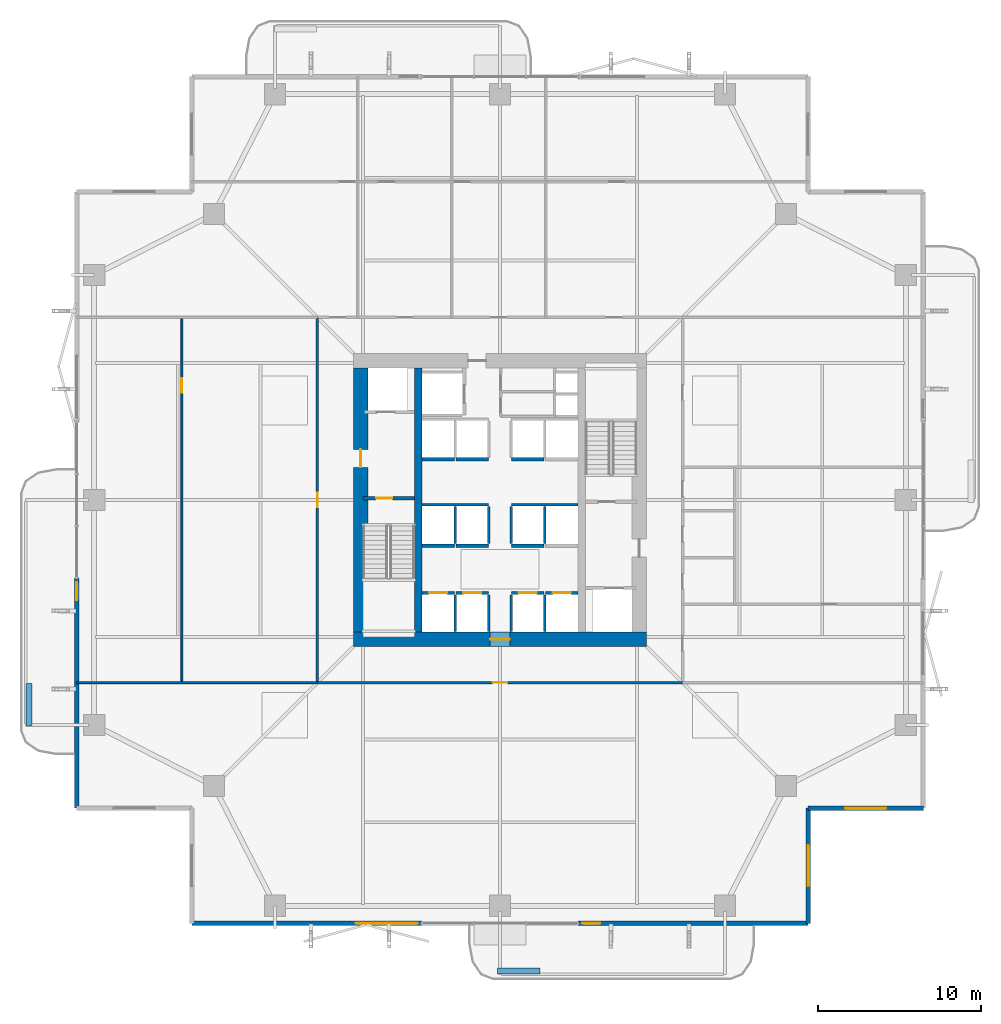
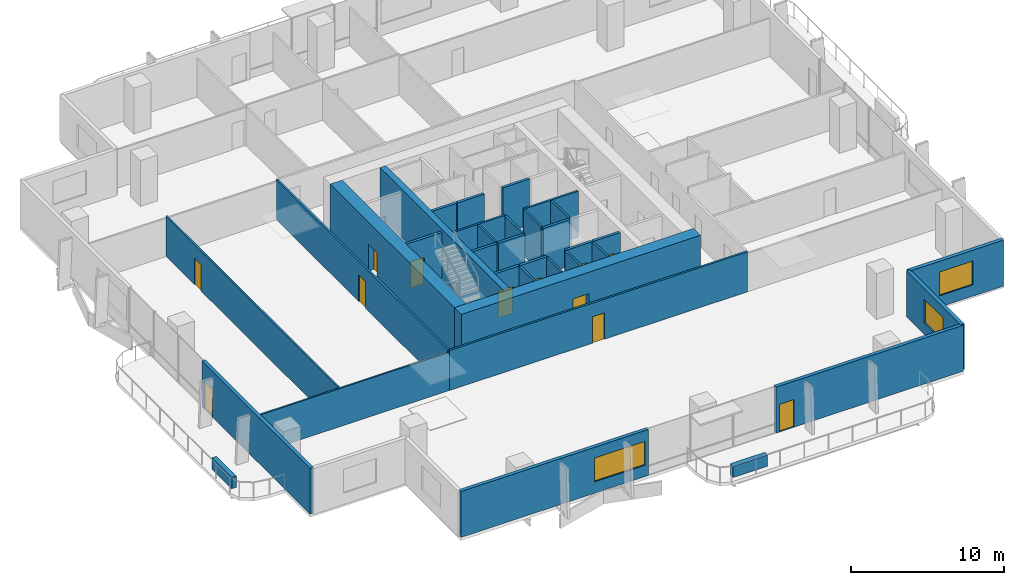
# One storey, part 17 of 24: 35 walls, 12 doors, 3 windows, 15 openings.
"""IFC4 building model written with IfcOpenShell, lengths in metres."""

from ifc_helpers import new_model, si_unit, direction, frame, frame_2d, origin, place, context, subcontext, project, spatial, rectangle, extrude, material, layer, layer_set, type_object, element, fill, save


model = new_model("IFC4")

# Units and contexts
model_context = context("Model", 3, precision=1e-05, world=origin(), true_north=direction((0.0, 1.0)))
body_context = subcontext(model_context, "Body", "Model", "MODEL_VIEW")
ifc_project = project(units=[si_unit("LENGTHUNIT", "METRE"), si_unit("AREAUNIT", "SQUARE_METRE"), si_unit("VOLUMEUNIT", "CUBIC_METRE"), si_unit("PLANEANGLEUNIT", "RADIAN"), si_unit("MASSUNIT", "GRAM", prefix="KILO")], contexts=[model_context])

# Site, building, storey
site_placement = place(None, origin())
site = spatial("IfcSite", under=ifc_project, at=site_placement, CompositionType="ELEMENT")
building_placement = place(site_placement, origin())
building = spatial("IfcBuilding", under=site, at=building_placement, Name="Belovzor Exchange Tower", CompositionType="ELEMENT")
storey_placement = place(building_placement, frame((0.0, 0.0, 117.300048828125)))
storey = spatial("IfcBuildingStorey", under=building, at=storey_placement, Name="L28", CompositionType="ELEMENT", Elevation=117.300048828125)

# Wall
ifc_material_1 = material(Name="Acoustic Plasterboard on Galvanised Studs", Category="gypsum")
ifc_layer_1 = layer(ifc_material_1, 0.1201171875)
ifc_layer_set_1 = layer_set([ifc_layer_1], Name="Acoustic Plasterboard on Galvanised Studs")
wall_type_1 = type_object("IfcWallType", Name="Acoustic Double-Stud Partition Wall 120", PredefinedType="PARTITIONING", material=ifc_layer_set_1)
wall_1_placement = place(storey_placement, frame((2.830078125, 17.60009765625, 0.0), z_axis=(0.0, 0.0, 1.0), x_axis=(1.0, 0.0, 0.0)))
element("IfcWall", 1, at=wall_1_placement, inside=storey, type_object=wall_type_1, Name="W-P120 Partition Wall W-L28-END-SW", PredefinedType="PARTITIONING", context=body_context, shape_type="SweptSolid", body=[
    extrude(rectangle(XDim=14.77001953125, YDim=0.1201171875, at=frame_2d((7.385009765625, 0.0))), origin(), (0.0, 0.0, 1.0), 3.034912109375),
])

# Wall, opening, door
wall_2_placement = place(storey_placement, frame((9.280029296875, 17.60009765625, 0.0), z_axis=(0.0, 0.0, 1.0), x_axis=(0.0, 1.0, 0.0)))
wall_2 = element("IfcWall", 2, at=wall_2_placement, inside=storey, type_object=wall_type_1, Name="W-P120 Partition Wall W-L28-WHDIV-0", PredefinedType="PARTITIONING", context=body_context, shape_type="SweptSolid", body=[
    extrude(rectangle(XDim=22.39990234375, YDim=0.1201171875, at=frame_2d((11.199951171875, 0.0))), origin(), (0.0, 0.0, 1.0), 3.18505859375),
])
opening_1_placement = place(wall_2_placement, frame((17.782958984375, 0.0, 0.0)))
opening_1 = element("IfcOpeningElement", 3, at=opening_1_placement, cuts=wall_2, Name="Opening D-INT-090", PredefinedType="OPENING", context=body_context, shape_type="SweptSolid", body=[
    extrude(rectangle(XDim=0.89990234375, YDim=2.10009765625, at=frame_2d((0.449951171875, 1.050048828125))), frame((0.0, 0.070068359375, 0.0), z_axis=(0.0, -1.0, 0.0), x_axis=(1.0, 0.0, 0.0)), (0.0, 0.0, 1.0), 0.14013671875),
])
ifc_material_2 = material(Name="Veneered Hardwood Acoustic Leaf", Category="wood")
door_type_1 = type_object("IfcDoorType", Name="Trading Suite Acoustic Single Door 900x2100", OperationType="NOTDEFINED", PredefinedType="DOOR", material=ifc_material_2)
door_1_placement = place(opening_1_placement, origin())
door_1 = element("IfcDoor", 4, at=door_1_placement, inside=storey, type_object=door_type_1, Name="D-INT-090 Trading Suite Acoustic Single Door 900x2100", OperationType="SINGLE_SWING_LEFT", OverallHeight=2.10009765625, OverallWidth=0.89990234375, PredefinedType="DOOR", context=body_context, shape_type="SweptSolid", body=[
    extrude(rectangle(XDim=0.89990234375, YDim=2.10009765625, at=frame_2d((0.449951171875, 1.050048828125))), frame((0.0, 0.02490234375, 0.0), z_axis=(0.0, -1.0, 0.0), x_axis=(1.0, 0.0, 0.0)), (0.0, 0.0, 1.0), 0.050048828125),
])
fill(opening_1, door_1)

ifc_material_3 = material(Name="Fire-Rated Gypsum Block and Mineral Wool", Category="gypsum")
ifc_layer_2 = layer(ifc_material_3, 0.14990234375)
ifc_layer_set_2 = layer_set([ifc_layer_2], Name="Fire-Rated Gypsum Block and Mineral Wool")
wall_type_2 = type_object("IfcWallType", Name="Fire-Rated Gypsum Block Corridor Wall 150", PredefinedType="PARTITIONING", material=ifc_layer_set_2)
wall_3_placement = place(storey_placement, frame((17.60009765625, 17.60009765625, 0.0), z_axis=(0.0, 0.0, 1.0), x_axis=(1.0, 0.0, 0.0)))
wall_3 = element("IfcWall", 5, at=wall_3_placement, inside=storey, type_object=wall_type_2, Name="W-P150 Partition Wall W-L28-CS", PredefinedType="PARTITIONING", context=body_context, shape_type="SweptSolid", body=[
    extrude(rectangle(XDim=22.39990234375, YDim=0.14990234375, at=frame_2d((11.199951171875, 0.0))), origin(), (0.0, 0.0, 1.0), 3.18505859375),
])
opening_2_placement = place(wall_3_placement, frame((10.75, 0.0, 0.0)))
opening_2 = element("IfcOpeningElement", 6, at=opening_2_placement, cuts=wall_3, Name="Opening D-INT-090", PredefinedType="OPENING", context=body_context, shape_type="SweptSolid", body=[
    extrude(rectangle(XDim=0.89990234375, YDim=2.10009765625, at=frame_2d((0.449951171875, 1.050048828125))), frame((0.0, 0.0849609375, 0.0), z_axis=(0.0, -1.0, 0.0), x_axis=(1.0, 0.0, 0.0)), (0.0, 0.0, 1.0), 0.169921875),
])
door_2_placement = place(opening_2_placement, origin())
door_2 = element("IfcDoor", 7, at=door_2_placement, inside=storey, type_object=door_type_1, Name="D-INT-090 Trading Suite Acoustic Single Door 900x2100", OperationType="SINGLE_SWING_LEFT", OverallHeight=2.10009765625, OverallWidth=0.89990234375, PredefinedType="DOOR", context=body_context, shape_type="SweptSolid", body=[
    extrude(rectangle(XDim=0.89990234375, YDim=2.10009765625, at=frame_2d((0.449951171875, 1.050048828125))), frame((0.0, 0.02490234375, 0.0), z_axis=(0.0, -1.0, 0.0), x_axis=(1.0, 0.0, 0.0)), (0.0, 0.0, 1.0), 0.050048828125),
])
fill(opening_2, door_2)

wall_4_placement = place(storey_placement, frame((17.60009765625, 17.60009765625, 0.0), z_axis=(0.0, 0.0, 1.0), x_axis=(0.0, 1.0, 0.0)))
wall_4 = element("IfcWall", 8, at=wall_4_placement, inside=storey, type_object=wall_type_2, Name="W-P150 Partition Wall W-L28-CW", PredefinedType="PARTITIONING", context=body_context, shape_type="SweptSolid", body=[
    extrude(rectangle(XDim=22.39990234375, YDim=0.14990234375, at=frame_2d((11.199951171875, 0.0))), origin(), (0.0, 0.0, 1.0), 3.18505859375),
])
opening_3_placement = place(wall_4_placement, frame((10.75, 0.0, 0.0)))
opening_3 = element("IfcOpeningElement", 9, at=opening_3_placement, cuts=wall_4, Name="Opening D-INT-090", PredefinedType="OPENING", context=body_context, shape_type="SweptSolid", body=[
    extrude(rectangle(XDim=0.89990234375, YDim=2.10009765625, at=frame_2d((0.449951171875, 1.050048828125))), frame((0.0, 0.0849609375, 0.0), z_axis=(0.0, -1.0, 0.0), x_axis=(1.0, 0.0, 0.0)), (0.0, 0.0, 1.0), 0.169921875),
])
door_3_placement = place(opening_3_placement, origin())
door_3 = element("IfcDoor", 10, at=door_3_placement, inside=storey, type_object=door_type_1, Name="D-INT-090 Trading Suite Acoustic Single Door 900x2100", OperationType="SINGLE_SWING_LEFT", OverallHeight=2.10009765625, OverallWidth=0.89990234375, PredefinedType="DOOR", context=body_context, shape_type="SweptSolid", body=[
    extrude(rectangle(XDim=0.89990234375, YDim=2.10009765625, at=frame_2d((0.449951171875, 1.050048828125))), frame((0.0, 0.02490234375, 0.0), z_axis=(0.0, -1.0, 0.0), x_axis=(1.0, 0.0, 0.0)), (0.0, 0.0, 1.0), 0.050048828125),
])
fill(opening_3, door_3)

# Wall, opening, window
ifc_material_4 = material(Name="Precast concrete C40/50", Category="concrete")
ifc_layer_3 = layer(ifc_material_4, 0.280029296875)
ifc_layer_set_3 = layer_set([ifc_layer_3], Name="Precast concrete C40/50")
wall_type_3 = type_object("IfcWallType", Name="Precast Concrete Notched Corner Frame Wall 280", PredefinedType="SOLIDWALL", material=ifc_layer_set_3)
wall_5_placement = place(storey_placement, frame((54.77001953125, 9.89990234375, 0.0), z_axis=(0.0, 0.0, 1.0), x_axis=(-1.0, 0.0, 0.0)))
wall_5 = element("IfcWall", 11, at=wall_5_placement, inside=storey, type_object=wall_type_3, Name="W-CRN280 Precast Concrete Notched Corner Frame Wall 280 L28", PredefinedType="SOLIDWALL", context=body_context, shape_type="SweptSolid", body=[
    extrude(rectangle(XDim=7.070068359375, YDim=0.280029296875, at=frame_2d((3.53515625, 0.0))), origin(), (0.0, 0.0, 1.0), 3.64990234375),
])
opening_4_placement = place(wall_5_placement, frame((2.284912109375, 0.0, 0.89990234375)))
opening_4 = element("IfcOpeningElement", 12, at=opening_4_placement, cuts=wall_5, Name="Opening WN-CRN250", PredefinedType="OPENING", context=body_context, shape_type="SweptSolid", body=[
    extrude(rectangle(XDim=2.5, YDim=1.89990234375, at=frame_2d((1.25, 0.949951171875))), frame((0.0, 0.14990234375, 0.0), z_axis=(0.0, -1.0, 0.0), x_axis=(1.0, 0.0, 0.0)), (0.0, 0.0, 1.0), 0.300048828125),
])
ifc_material_5 = material(Name="Thermally Broken Aluminium and Triple Glazing", Category="aluminium")
window_type_1 = type_object("IfcWindowType", Name="Streamline Moderne Corner Wrap Ribbon Window 2500x1900", PartitioningType="SINGLE_PANEL", PredefinedType="WINDOW", material=ifc_material_5)
window_1_placement = place(opening_4_placement, origin())
window_1 = element("IfcWindow", 13, at=window_1_placement, inside=storey, type_object=window_type_1, Name="WN-CRN250 Streamline Moderne Corner Wrap Ribbon Window 2500x1900", OverallHeight=1.89990234375, OverallWidth=2.5, PartitioningType="SINGLE_PANEL", PredefinedType="WINDOW", context=body_context, shape_type="SweptSolid", body=[
    extrude(rectangle(XDim=2.5, YDim=1.89990234375, at=frame_2d((1.25, 0.949951171875))), frame((0.0, 0.030029296875, 0.0), z_axis=(0.0, -1.0, 0.0), x_axis=(1.0, 0.0, 0.0)), (0.0, 0.0, 1.0), 0.06005859375),
])
fill(opening_4, window_1)

wall_6_placement = place(storey_placement, frame((47.699951171875, 9.89990234375, 0.0), z_axis=(0.0, 0.0, 1.0), x_axis=(0.0, -1.0, 0.0)))
wall_6 = element("IfcWall", 14, at=wall_6_placement, inside=storey, type_object=wall_type_3, Name="W-CRN280 Precast Concrete Notched Corner Frame Wall 280 L28", PredefinedType="SOLIDWALL", context=body_context, shape_type="SweptSolid", body=[
    extrude(rectangle(XDim=7.06982421875, YDim=0.280029296875, at=frame_2d((3.534912109375, 0.0))), origin(), (0.0, 0.0, 1.0), 3.64990234375),
])
opening_5_placement = place(wall_6_placement, frame((2.284912109375, 0.0, 0.89990234375)))
opening_5 = element("IfcOpeningElement", 15, at=opening_5_placement, cuts=wall_6, Name="Opening WN-CRN250", PredefinedType="OPENING", context=body_context, shape_type="SweptSolid", body=[
    extrude(rectangle(XDim=2.5, YDim=1.89990234375, at=frame_2d((1.25, 0.949951171875))), frame((0.0, 0.14990234375, 0.0), z_axis=(0.0, -1.0, 0.0), x_axis=(1.0, 0.0, 0.0)), (0.0, 0.0, 1.0), 0.300048828125),
])
window_2_placement = place(opening_5_placement, origin())
window_2 = element("IfcWindow", 16, at=window_2_placement, inside=storey, type_object=window_type_1, Name="WN-CRN250 Streamline Moderne Corner Wrap Ribbon Window 2500x1900", OverallHeight=1.89990234375, OverallWidth=2.5, PartitioningType="SINGLE_PANEL", PredefinedType="WINDOW", context=body_context, shape_type="SweptSolid", body=[
    extrude(rectangle(XDim=2.5, YDim=1.89990234375, at=frame_2d((1.25, 0.949951171875))), frame((0.0, 0.030029296875, 0.0), z_axis=(0.0, -1.0, 0.0), x_axis=(1.0, 0.0, 0.0)), (0.0, 0.0, 1.0), 0.06005859375),
])
fill(opening_5, window_2)

# Wall, opening, door
ifc_material_6 = material(Name="Precast concrete C40/50", Category="concrete")
ifc_layer_4 = layer(ifc_material_6, 0.260009765625)
ifc_layer_set_4 = layer_set([ifc_layer_4], Name="Precast concrete C40/50")
wall_type_4 = type_object("IfcWallType", Name="Precast Concrete Perimeter Loggia Frame Wall 260", PredefinedType="SOLIDWALL", material=ifc_layer_set_4)
wall_7_placement = place(storey_placement, frame((47.699951171875, 2.830078125, 0.0), z_axis=(0.0, 0.0, 1.0), x_axis=(-1.0, 0.0, 0.0)))
wall_7 = element("IfcWall", 17, at=wall_7_placement, inside=storey, type_object=wall_type_4, Name="W-EXT260 Precast Concrete Perimeter Loggia Frame Wall 260 L28", PredefinedType="SOLIDWALL", context=body_context, shape_type="SweptSolid", body=[
    extrude(rectangle(XDim=14.099853515625, YDim=0.260009765625, at=frame_2d((7.0498046875, 0.0))), origin(), (0.0, 0.0, 1.0), 3.64990234375),
])
opening_6_placement = place(wall_7_placement, frame((12.75, 0.0, 0.0)))
opening_6 = element("IfcOpeningElement", 18, at=opening_6_placement, cuts=wall_7, Name="Opening D-BAL110", PredefinedType="OPENING", context=body_context, shape_type="SweptSolid", body=[
    extrude(rectangle(XDim=1.10009765625, YDim=2.199951171875, at=frame_2d((0.550048828125, 1.10009765625))), frame((0.0, 0.139892578125, 0.0), z_axis=(0.0, -1.0, 0.0), x_axis=(1.0, 0.0, 0.0)), (0.0, 0.0, 1.0), 0.280029296875),
])
ifc_material_7 = material(Name="Thermally Broken Anodised Aluminium and Laminated Glass", Category="aluminium")
door_type_2 = type_object("IfcDoorType", Name="Planted Loggia Terrace Glazed Door 1100x2200", OperationType="SINGLE_SWING_LEFT", PredefinedType="DOOR", material=ifc_material_7)
door_4_placement = place(opening_6_placement, origin())
door_4 = element("IfcDoor", 19, at=door_4_placement, inside=storey, type_object=door_type_2, Name="D-BAL110 Balcony Terrace Door L28 S", OperationType="SINGLE_SWING_LEFT", OverallHeight=2.199951171875, OverallWidth=1.10009765625, PredefinedType="DOOR", context=body_context, shape_type="SweptSolid", body=[
    extrude(rectangle(XDim=1.10009765625, YDim=2.199951171875, at=frame_2d((0.550048828125, 1.10009765625))), frame((0.0, 0.02490234375, 0.0), z_axis=(0.0, -1.0, 0.0), x_axis=(1.0, 0.0, 0.0)), (0.0, 0.0, 1.0), 0.050048828125),
])
fill(opening_6, door_4)

# Wall, opening, window
wall_8_placement = place(storey_placement, frame((24.0, 2.830078125, 0.0), z_axis=(0.0, 0.0, 1.0), x_axis=(-1.0, 0.0, 0.0)))
wall_8 = element("IfcWall", 20, at=wall_8_placement, inside=storey, type_object=wall_type_4, Name="W-EXT260 Precast Concrete Perimeter Loggia Frame Wall 260 L28", PredefinedType="SOLIDWALL", context=body_context, shape_type="SweptSolid", body=[
    extrude(rectangle(XDim=14.10009765625, YDim=0.260009765625, at=frame_2d((7.050048828125, 0.0))), origin(), (0.0, 0.0, 1.0), 3.64990234375),
])
opening_7_placement = place(wall_8_placement, frame((0.25, 0.0, 0.89990234375)))
opening_7 = element("IfcOpeningElement", 21, at=opening_7_placement, cuts=wall_8, Name="Opening WN-RIB380", PredefinedType="OPENING", context=body_context, shape_type="SweptSolid", body=[
    extrude(rectangle(XDim=3.800048828125, YDim=1.89990234375, at=frame_2d((1.89990234375, 0.949951171875))), frame((0.0, 0.139892578125, 0.0), z_axis=(0.0, -1.0, 0.0), x_axis=(1.0, 0.0, 0.0)), (0.0, 0.0, 1.0), 0.280029296875),
])
ifc_material_8 = material(Name="Thermally Broken Aluminium and Triple Glazing", Category="aluminium")
window_type_2 = type_object("IfcWindowType", Name="Streamline Moderne Horizontal Ribbon Window 3800x1900", PartitioningType="SINGLE_PANEL", PredefinedType="WINDOW", material=ifc_material_8)
window_3_placement = place(opening_7_placement, origin())
window_3 = element("IfcWindow", 22, at=window_3_placement, inside=storey, type_object=window_type_2, Name="WN-RIB380 Streamline Moderne Horizontal Ribbon Window 3800x1900", OverallHeight=1.89990234375, OverallWidth=3.800048828125, PartitioningType="SINGLE_PANEL", PredefinedType="WINDOW", context=body_context, shape_type="SweptSolid", body=[
    extrude(rectangle(XDim=3.800048828125, YDim=1.89990234375, at=frame_2d((1.89990234375, 0.949951171875))), frame((0.0, 0.030029296875, 0.0), z_axis=(0.0, -1.0, 0.0), x_axis=(1.0, 0.0, 0.0)), (0.0, 0.0, 1.0), 0.06005859375),
])
fill(opening_7, window_3)

# Wall, opening, door
wall_9_placement = place(storey_placement, frame((2.830078125, 9.89990234375, 0.0), z_axis=(0.0, 0.0, 1.0), x_axis=(0.0, 1.0, 0.0)))
wall_9 = element("IfcWall", 23, at=wall_9_placement, inside=storey, type_object=wall_type_4, Name="W-EXT260 Precast Concrete Perimeter Loggia Frame Wall 260 L28", PredefinedType="SOLIDWALL", context=body_context, shape_type="SweptSolid", body=[
    extrude(rectangle(XDim=14.10009765625, YDim=0.260009765625, at=frame_2d((7.050048828125, 0.0))), origin(), (0.0, 0.0, 1.0), 3.64990234375),
])
opening_8_placement = place(wall_9_placement, frame((12.75, 0.0, 0.0)))
opening_8 = element("IfcOpeningElement", 24, at=opening_8_placement, cuts=wall_9, Name="Opening D-BAL110", PredefinedType="OPENING", context=body_context, shape_type="SweptSolid", body=[
    extrude(rectangle(XDim=1.10009765625, YDim=2.199951171875, at=frame_2d((0.550048828125, 1.10009765625))), frame((0.0, 0.139892578125, 0.0), z_axis=(0.0, -1.0, 0.0), x_axis=(1.0, 0.0, 0.0)), (0.0, 0.0, 1.0), 0.280029296875),
])
door_5_placement = place(opening_8_placement, origin())
door_5 = element("IfcDoor", 25, at=door_5_placement, inside=storey, type_object=door_type_2, Name="D-BAL110 Balcony Terrace Door L28 W", OperationType="SINGLE_SWING_RIGHT", OverallHeight=2.199951171875, OverallWidth=1.10009765625, PredefinedType="DOOR", context=body_context, shape_type="SweptSolid", body=[
    extrude(rectangle(XDim=1.10009765625, YDim=2.199951171875, at=frame_2d((0.550048828125, 1.10009765625))), frame((0.0, 0.02490234375, 0.0), z_axis=(0.0, -1.0, 0.0), x_axis=(1.0, 0.0, 0.0)), (0.0, 0.0, 1.0), 0.050048828125),
])
fill(opening_8, door_5)

# Walls
ifc_material_9 = material(Name="Precast concrete C40/50", Category="concrete")
ifc_layer_5 = layer(ifc_material_9, 0.35009765625)
ifc_layer_set_5 = layer_set([ifc_layer_5], Name="Precast concrete C40/50")
wall_type_5 = type_object("IfcWallType", Name="Precast Concrete Structural Tree Planter Trough 350", PredefinedType="PARAPET", material=ifc_layer_set_5)
for number, where, z_axis, x_axis, name in (
    (26, (28.64990234375, -0.10009765625, 0.0), (0.0, 0.0, 1.0), (1.0, 0.0, 0.0), "PT-350 Precast Concrete Structural Tree Planter Trough 350 L28"),
    (27, (-0.10009765625, 14.949951171875, 0.0), (0.0, 0.0, 1.0), (0.0, 1.0, 0.0), "PT-350 Precast Concrete Structural Tree Planter Trough 350 L28"),
):
    element("IfcWall", number, at=place(storey_placement, frame(where, z_axis=z_axis, x_axis=x_axis)), inside=storey, type_object=wall_type_5, Name=name, PredefinedType="PARAPET", context=body_context, shape_type="SweptSolid", body=[
        extrude(rectangle(XDim=2.60009765625, YDim=0.35009765625, at=frame_2d((1.300048828125, 0.0))), origin(), (0.0, 0.0, 1.0), 0.89990234375),
    ])
ifc_material_10 = material(Name="Concrete C50/60", Category="concrete")
ifc_layer_6 = layer(ifc_material_10, 0.449951171875)
ifc_layer_set_6 = layer_set([ifc_layer_6], Name="Concrete C50/60")
wall_type_6 = type_object("IfcWallType", Name="Reinforced Concrete Core Internal Web Wall 450", PredefinedType="SHEAR", material=ifc_layer_set_6)
wall_10_placement = place(storey_placement, frame((23.77490234375, 20.699951171875, 0.0), z_axis=(0.0, 0.0, 1.0), x_axis=(0.0, 1.0, 0.0)))
element("IfcWall", 28, at=wall_10_placement, inside=storey, type_object=wall_type_6, Name="CW-W045 Core Internal Web Wall L28 WL", PredefinedType="SHEAR", context=body_context, shape_type="SweptSolid", body=[
    extrude(rectangle(XDim=16.199951171875, YDim=0.449951171875, at=frame_2d((8.10009765625, 0.0))), origin(), (0.0, 0.0, 1.0), 3.89990234375),
])
ifc_material_11 = material(Name="Concrete C50/60", Category="concrete")
ifc_layer_7 = layer(ifc_material_11, 0.14990234375)
ifc_layer_set_7 = layer_set([ifc_layer_7], Name="Concrete C50/60")
wall_type_7 = type_object("IfcWallType", Name="Reinforced Concrete Core Riser Shear Wall 150", PredefinedType="SHEAR", material=ifc_layer_set_7)
for number, where, z_axis, x_axis, name in (
    (29, (26.050048828125, 20.719970703125, 0.0), (0.0, 0.0, 1.0), (0.0, 1.0, 0.0), "W-C150S Core Shaft Wall W-SHD-L28-PLL-1"),
    (30, (28.10009765625, 20.719970703125, 0.0), (0.0, 0.0, 1.0), (0.0, 1.0, 0.0), "W-C150S Core Shaft Wall W-SHD-L28-PLL-2"),
    (31, (29.5, 20.719970703125, 0.0), (0.0, 0.0, 1.0), (0.0, 1.0, 0.0), "W-C150S Core Shaft Wall W-SHD-L28-PLL-3"),
    (32, (31.550048828125, 20.719970703125, 0.0), (0.0, 0.0, 1.0), (0.0, 1.0, 0.0), "W-C150S Core Shaft Wall W-SHD-L28-PLL-4"),
):
    element("IfcWall", number, at=place(storey_placement, frame(where, z_axis=z_axis, x_axis=x_axis)), inside=storey, type_object=wall_type_7, Name=name, PredefinedType="SHEAR", context=body_context, shape_type="SweptSolid", body=[
        extrude(rectangle(XDim=2.260009765625, YDim=0.14990234375, at=frame_2d((1.1298828125, 0.0))), origin(), (0.0, 0.0, 1.0), 3.64990234375),
    ])
for number, where, z_axis, x_axis, name in (
    (33, (24.02001953125, 28.5, 0.0), (0.0, 0.0, 1.0), (1.0, 0.0, 0.0), "W-C150S Core Shaft Wall W-SHB-L28-PLM-NW"),
    (34, (29.5, 28.5, 0.0), (0.0, 0.0, 1.0), (1.0, 0.0, 0.0), "W-C150S Core Shaft Wall W-SHB-L28-PLM-NE"),
):
    element("IfcWall", number, at=place(storey_placement, frame(where, z_axis=z_axis, x_axis=x_axis)), inside=storey, type_object=wall_type_7, Name=name, PredefinedType="SHEAR", context=body_context, shape_type="SweptSolid", body=[
        extrude(rectangle(XDim=4.080078125, YDim=0.14990234375, at=frame_2d((2.0400390625, 0.0))), origin(), (0.0, 0.0, 1.0), 3.64990234375),
    ])
for number, where, z_axis, x_axis, name in (
    (35, (26.050048828125, 26.1201171875, 0.0), (0.0, 0.0, 1.0), (0.0, 1.0, 0.0), "W-C150S Core Shaft Wall W-SHD-L28-PLM-1"),
    (36, (28.10009765625, 26.1201171875, 0.0), (0.0, 0.0, 1.0), (0.0, 1.0, 0.0), "W-C150S Core Shaft Wall W-SHD-L28-PLM-2"),
    (37, (29.5, 26.1201171875, 0.0), (0.0, 0.0, 1.0), (0.0, 1.0, 0.0), "W-C150S Core Shaft Wall W-SHD-L28-PLM-3"),
    (38, (31.550048828125, 26.1201171875, 0.0), (0.0, 0.0, 1.0), (0.0, 1.0, 0.0), "W-C150S Core Shaft Wall W-SHD-L28-PLM-4"),
):
    element("IfcWall", number, at=place(storey_placement, frame(where, z_axis=z_axis, x_axis=x_axis)), inside=storey, type_object=wall_type_7, Name=name, PredefinedType="SHEAR", context=body_context, shape_type="SweptSolid", body=[
        extrude(rectangle(XDim=2.27978515625, YDim=0.14990234375, at=frame_2d((1.139892578125, 0.0))), origin(), (0.0, 0.0, 1.0), 3.64990234375),
    ])

# Wall, opening, door
ifc_material_12 = material(Name="Concrete C50/60", Category="concrete")
ifc_layer_8 = layer(ifc_material_12, 0.199951171875)
ifc_layer_set_8 = layer_set([ifc_layer_8], Name="Concrete C50/60")
wall_type_8 = type_object("IfcWallType", Name="Reinforced Concrete Core Shaft Shear Wall 200", PredefinedType="SHEAR", material=ifc_layer_set_8)
wall_11_placement = place(storey_placement, frame((20.39990234375, 28.89990234375, 0.0), z_axis=(0.0, 0.0, 1.0), x_axis=(1.0, 0.0, 0.0)))
wall_11 = element("IfcWall", 39, at=wall_11_placement, inside=storey, type_object=wall_type_8, Name="W-C200S Core Shaft Wall W-CORE-L28-FFLW1", PredefinedType="SHEAR", context=body_context, shape_type="SweptSolid", body=[
    extrude(rectangle(XDim=3.150146484375, YDim=0.199951171875, at=frame_2d((1.5751953125, 0.0))), origin(), (0.0, 0.0, 1.0), 3.64990234375),
])
opening_9_placement = place(wall_11_placement, frame((0.800048828125, 0.0, 0.0)))
opening_9 = element("IfcOpeningElement", 40, at=opening_9_placement, cuts=wall_11, Name="Opening D-FD90-100", PredefinedType="OPENING", context=body_context, shape_type="SweptSolid", body=[
    extrude(rectangle(XDim=1.0, YDim=2.10009765625, at=frame_2d((0.5, 1.050048828125))), frame((0.0, 0.10986328125, 0.0), z_axis=(0.0, -1.0, 0.0), x_axis=(1.0, 0.0, 0.0)), (0.0, 0.0, 1.0), 0.219970703125),
])
ifc_material_13 = material(Name="Fire-Rated Galvanised Steel Leaf", Category="steel")
door_type_3 = type_object("IfcDoorType", Name="Protected Stairwell Single Fire Door 1000x2100", OperationType="NOTDEFINED", PredefinedType="DOOR", material=ifc_material_13)
door_6_placement = place(opening_9_placement, origin())
door_6 = element("IfcDoor", 41, at=door_6_placement, inside=storey, type_object=door_type_3, Name="D-FD90-100 Protected Stairwell Single Fire Door 1000x2100", OperationType="SINGLE_SWING_RIGHT", OverallHeight=2.10009765625, OverallWidth=1.0, PredefinedType="DOOR", context=body_context, shape_type="SweptSolid", body=[
    extrude(rectangle(XDim=1.0, YDim=2.10009765625, at=frame_2d((0.5, 1.050048828125))), frame((0.0, 0.02490234375, 0.0), z_axis=(0.0, -1.0, 0.0), x_axis=(1.0, 0.0, 0.0)), (0.0, 0.0, 1.0), 0.050048828125),
])
fill(opening_9, door_6)

wall_12_placement = place(storey_placement, frame((24.0, 23.10009765625, 0.0), z_axis=(0.0, 0.0, 1.0), x_axis=(1.0, 0.0, 0.0)))
wall_12 = element("IfcWall", 42, at=wall_12_placement, inside=storey, type_object=wall_type_8, Name="W-C200S Core Shaft Wall W-SH-L28-PL-L1", PredefinedType="SHEAR", context=body_context, shape_type="SweptSolid", body=[
    extrude(rectangle(XDim=2.0, YDim=0.199951171875, at=frame_2d((1.0, 0.0))), origin(), (0.0, 0.0, 1.0), 3.64990234375),
])
opening_10_placement = place(wall_12_placement, frame((0.449951171875, 0.0, 0.0)))
opening_10 = element("IfcOpeningElement", 43, at=opening_10_placement, cuts=wall_12, Name="Opening LD-110", PredefinedType="OPENING", context=body_context, shape_type="SweptSolid", body=[
    extrude(rectangle(XDim=1.10009765625, YDim=2.14990234375, at=frame_2d((0.550048828125, 1.074951171875))), frame((0.0, 0.10986328125, 0.0), z_axis=(0.0, -1.0, 0.0), x_axis=(1.0, 0.0, 0.0)), (0.0, 0.0, 1.0), 0.219970703125),
])
ifc_material_14 = material(Name="Stainless Steel Grade 304", Category="steel")
door_type_4 = type_object("IfcDoorType", Name="Automated Stainless Steel Lift Landing Door 1100x2150", OperationType="SLIDING_TO_RIGHT", PredefinedType="DOOR", material=ifc_material_14)
door_7_placement = place(opening_10_placement, origin())
door_7 = element("IfcDoor", 44, at=door_7_placement, inside=storey, type_object=door_type_4, Name="LD-110 Automated Stainless Steel Lift Landing Door 1100x2150", OperationType="SLIDING_TO_RIGHT", OverallHeight=2.14990234375, OverallWidth=1.10009765625, PredefinedType="DOOR", context=body_context, shape_type="SweptSolid", body=[
    extrude(rectangle(XDim=1.10009765625, YDim=2.14990234375, at=frame_2d((0.550048828125, 1.074951171875))), frame((0.0, 0.02490234375, 0.0), z_axis=(0.0, -1.0, 0.0), x_axis=(1.0, 0.0, 0.0)), (0.0, 0.0, 1.0), 0.050048828125),
])
fill(opening_10, door_7)

wall_13_placement = place(storey_placement, frame((26.10009765625, 23.10009765625, 0.0), z_axis=(0.0, 0.0, 1.0), x_axis=(1.0, 0.0, 0.0)))
wall_13 = element("IfcWall", 45, at=wall_13_placement, inside=storey, type_object=wall_type_8, Name="W-C200S Core Shaft Wall W-SH-L28-PL-L2", PredefinedType="SHEAR", context=body_context, shape_type="SweptSolid", body=[
    extrude(rectangle(XDim=2.0, YDim=0.199951171875, at=frame_2d((1.0, 0.0))), origin(), (0.0, 0.0, 1.0), 3.64990234375),
])
opening_11_placement = place(wall_13_placement, frame((0.449951171875, 0.0, 0.0)))
opening_11 = element("IfcOpeningElement", 46, at=opening_11_placement, cuts=wall_13, Name="Opening LD-110", PredefinedType="OPENING", context=body_context, shape_type="SweptSolid", body=[
    extrude(rectangle(XDim=1.10009765625, YDim=2.14990234375, at=frame_2d((0.550048828125, 1.074951171875))), frame((0.0, 0.10986328125, 0.0), z_axis=(0.0, -1.0, 0.0), x_axis=(1.0, 0.0, 0.0)), (0.0, 0.0, 1.0), 0.219970703125),
])
door_8_placement = place(opening_11_placement, origin())
door_8 = element("IfcDoor", 47, at=door_8_placement, inside=storey, type_object=door_type_4, Name="LD-110 Automated Stainless Steel Lift Landing Door 1100x2150", OperationType="SLIDING_TO_RIGHT", OverallHeight=2.14990234375, OverallWidth=1.10009765625, PredefinedType="DOOR", context=body_context, shape_type="SweptSolid", body=[
    extrude(rectangle(XDim=1.10009765625, YDim=2.14990234375, at=frame_2d((0.550048828125, 1.074951171875))), frame((0.0, 0.02490234375, 0.0), z_axis=(0.0, -1.0, 0.0), x_axis=(1.0, 0.0, 0.0)), (0.0, 0.0, 1.0), 0.050048828125),
])
fill(opening_11, door_8)

wall_14_placement = place(storey_placement, frame((29.5, 23.10009765625, 0.0), z_axis=(0.0, 0.0, 1.0), x_axis=(1.0, 0.0, 0.0)))
wall_14 = element("IfcWall", 48, at=wall_14_placement, inside=storey, type_object=wall_type_8, Name="W-C200S Core Shaft Wall W-SH-L28-PL-L3", PredefinedType="SHEAR", context=body_context, shape_type="SweptSolid", body=[
    extrude(rectangle(XDim=2.0, YDim=0.199951171875, at=frame_2d((1.0, 0.0))), origin(), (0.0, 0.0, 1.0), 3.64990234375),
])
opening_12_placement = place(wall_14_placement, frame((0.449951171875, 0.0, 0.0)))
opening_12 = element("IfcOpeningElement", 49, at=opening_12_placement, cuts=wall_14, Name="Opening LD-110", PredefinedType="OPENING", context=body_context, shape_type="SweptSolid", body=[
    extrude(rectangle(XDim=1.10009765625, YDim=2.14990234375, at=frame_2d((0.550048828125, 1.074951171875))), frame((0.0, 0.10986328125, 0.0), z_axis=(0.0, -1.0, 0.0), x_axis=(1.0, 0.0, 0.0)), (0.0, 0.0, 1.0), 0.219970703125),
])
door_9_placement = place(opening_12_placement, origin())
door_9 = element("IfcDoor", 50, at=door_9_placement, inside=storey, type_object=door_type_4, Name="LD-110 Automated Stainless Steel Lift Landing Door 1100x2150", OperationType="SLIDING_TO_RIGHT", OverallHeight=2.14990234375, OverallWidth=1.10009765625, PredefinedType="DOOR", context=body_context, shape_type="SweptSolid", body=[
    extrude(rectangle(XDim=1.10009765625, YDim=2.14990234375, at=frame_2d((0.550048828125, 1.074951171875))), frame((0.0, 0.02490234375, 0.0), z_axis=(0.0, -1.0, 0.0), x_axis=(1.0, 0.0, 0.0)), (0.0, 0.0, 1.0), 0.050048828125),
])
fill(opening_12, door_9)

wall_15_placement = place(storey_placement, frame((31.60009765625, 23.10009765625, 0.0), z_axis=(0.0, 0.0, 1.0), x_axis=(1.0, 0.0, 0.0)))
wall_15 = element("IfcWall", 51, at=wall_15_placement, inside=storey, type_object=wall_type_8, Name="W-C200S Core Shaft Wall W-SH-L28-PL-L4", PredefinedType="SHEAR", context=body_context, shape_type="SweptSolid", body=[
    extrude(rectangle(XDim=2.0, YDim=0.199951171875, at=frame_2d((1.0, 0.0))), origin(), (0.0, 0.0, 1.0), 3.64990234375),
])
opening_13_placement = place(wall_15_placement, frame((0.449951171875, 0.0, 0.0)))
opening_13 = element("IfcOpeningElement", 52, at=opening_13_placement, cuts=wall_15, Name="Opening LD-110", PredefinedType="OPENING", context=body_context, shape_type="SweptSolid", body=[
    extrude(rectangle(XDim=1.10009765625, YDim=2.14990234375, at=frame_2d((0.550048828125, 1.074951171875))), frame((0.0, 0.10986328125, 0.0), z_axis=(0.0, -1.0, 0.0), x_axis=(1.0, 0.0, 0.0)), (0.0, 0.0, 1.0), 0.219970703125),
])
door_10_placement = place(opening_13_placement, origin())
door_10 = element("IfcDoor", 53, at=door_10_placement, inside=storey, type_object=door_type_4, Name="LD-110 Automated Stainless Steel Lift Landing Door 1100x2150", OperationType="SLIDING_TO_RIGHT", OverallHeight=2.14990234375, OverallWidth=1.10009765625, PredefinedType="DOOR", context=body_context, shape_type="SweptSolid", body=[
    extrude(rectangle(XDim=1.10009765625, YDim=2.14990234375, at=frame_2d((0.550048828125, 1.074951171875))), frame((0.0, 0.02490234375, 0.0), z_axis=(0.0, -1.0, 0.0), x_axis=(1.0, 0.0, 0.0)), (0.0, 0.0, 1.0), 0.050048828125),
])
fill(opening_13, door_10)

# Walls
for number, where, z_axis, x_axis, name in (
    (54, (24.0, 26.0, 0.0), (0.0, 0.0, 1.0), (1.0, 0.0, 0.0), "W-C200S Core Shaft Wall W-SH-L28-PL-M1"),
    (55, (26.10009765625, 26.0, 0.0), (0.0, 0.0, 1.0), (1.0, 0.0, 0.0), "W-C200S Core Shaft Wall W-SH-L28-PL-M2"),
    (56, (29.5, 26.0, 0.0), (0.0, 0.0, 1.0), (1.0, 0.0, 0.0), "W-C200S Core Shaft Wall W-SH-L28-PL-M3"),
    (57, (24.0, 31.300048828125, 0.0), (0.0, 0.0, 1.0), (1.0, 0.0, 0.0), "W-C200S Core Shaft Wall W-SH-L28-PL-H1"),
    (58, (26.10009765625, 31.300048828125, 0.0), (0.0, 0.0, 1.0), (1.0, 0.0, 0.0), "W-C200S Core Shaft Wall W-SH-L28-PL-H2"),
    (59, (29.5, 31.300048828125, 0.0), (0.0, 0.0, 1.0), (1.0, 0.0, 0.0), "W-C200S Core Shaft Wall W-SH-L28-PL-H3"),
):
    element("IfcWall", number, at=place(storey_placement, frame(where, z_axis=z_axis, x_axis=x_axis)), inside=storey, type_object=wall_type_8, Name=name, PredefinedType="SHEAR", context=body_context, shape_type="SweptSolid", body=[
        extrude(rectangle(XDim=2.0, YDim=0.199951171875, at=frame_2d((1.0, 0.0))), origin(), (0.0, 0.0, 1.0), 3.64990234375),
    ])

# Wall, opening, door
ifc_material_15 = material(Name="Concrete C60/75", Category="concrete")
ifc_layer_9 = layer(ifc_material_15, 0.89990234375)
ifc_layer_set_9 = layer_set([ifc_layer_9], Name="Concrete C60/75")
wall_type_9 = type_object("IfcWallType", Name="Reinforced Concrete Core Shear Wall 900", PredefinedType="SHEAR", material=ifc_layer_set_9)
wall_16_placement = place(storey_placement, frame((19.800048828125, 20.25, 0.0), z_axis=(0.0, 0.0, 1.0), x_axis=(1.0, 0.0, 0.0)))
wall_16 = element("IfcWall", 60, at=wall_16_placement, inside=storey, type_object=wall_type_9, Name="CW-S090 Core Shear Wall L28 S", PredefinedType="SHEAR", context=body_context, shape_type="SweptSolid", body=[
    extrude(rectangle(XDim=18.0, YDim=0.89990234375, at=frame_2d((9.0, 0.0))), origin(), (0.0, 0.0, 1.0), 3.89990234375),
])
opening_14_placement = place(wall_16_placement, frame((8.39990234375, 0.0, 0.0)))
opening_14 = element("IfcOpeningElement", 61, at=opening_14_placement, cuts=wall_16, Name="Opening D-FD90-120", PredefinedType="OPENING", context=body_context, shape_type="SweptSolid", body=[
    extrude(rectangle(XDim=1.199951171875, YDim=2.199951171875, at=frame_2d((0.60009765625, 1.10009765625))), frame((0.0, 0.4599609375, 0.0), z_axis=(0.0, -1.0, 0.0), x_axis=(1.0, 0.0, 0.0)), (0.0, 0.0, 1.0), 0.919921875),
])
ifc_material_16 = material(Name="Fire-Rated Galvanised Steel Leaf", Category="steel")
door_type_5 = type_object("IfcDoorType", Name="Heavy Plant & Foyer Fire Door 1200x2200", OperationType="NOTDEFINED", PredefinedType="DOOR", material=ifc_material_16)
door_11_placement = place(opening_14_placement, origin())
door_11 = element("IfcDoor", 62, at=door_11_placement, inside=storey, type_object=door_type_5, Name="D-FD90-120 Heavy Plant & Foyer Fire Door 1200x2200", OperationType="SINGLE_SWING_LEFT", OverallHeight=2.199951171875, OverallWidth=1.199951171875, PredefinedType="DOOR", context=body_context, shape_type="SweptSolid", body=[
    extrude(rectangle(XDim=1.199951171875, YDim=2.199951171875, at=frame_2d((0.60009765625, 1.10009765625))), frame((0.0, 0.02490234375, 0.0), z_axis=(0.0, -1.0, 0.0), x_axis=(1.0, 0.0, 0.0)), (0.0, 0.0, 1.0), 0.050048828125),
])
fill(opening_14, door_11)

wall_17_placement = place(storey_placement, frame((20.25, 20.699951171875, 0.0), z_axis=(0.0, 0.0, 1.0), x_axis=(0.0, 1.0, 0.0)))
wall_17 = element("IfcWall", 63, at=wall_17_placement, inside=storey, type_object=wall_type_9, Name="CW-S090 Core Shear Wall L28 W", PredefinedType="SHEAR", context=body_context, shape_type="SweptSolid", body=[
    extrude(rectangle(XDim=16.199951171875, YDim=0.89990234375, at=frame_2d((8.10009765625, 0.0))), origin(), (0.0, 0.0, 1.0), 3.89990234375),
])
opening_15_placement = place(wall_17_placement, frame((10.10009765625, 0.0, 0.0)))
opening_15 = element("IfcOpeningElement", 64, at=opening_15_placement, cuts=wall_17, Name="Opening D-FD90-110", PredefinedType="OPENING", context=body_context, shape_type="SweptSolid", body=[
    extrude(rectangle(XDim=1.10009765625, YDim=2.14990234375, at=frame_2d((0.550048828125, 1.074951171875))), frame((0.0, 0.4599609375, 0.0), z_axis=(0.0, -1.0, 0.0), x_axis=(1.0, 0.0, 0.0)), (0.0, 0.0, 1.0), 0.919921875),
])
ifc_material_17 = material(Name="Fire-Rated Galvanised Steel Leaf", Category="steel")
door_type_6 = type_object("IfcDoorType", Name="Protected Escape Vestibule Fire Door 1100x2150", OperationType="NOTDEFINED", PredefinedType="DOOR", material=ifc_material_17)
door_12_placement = place(opening_15_placement, origin())
door_12 = element("IfcDoor", 65, at=door_12_placement, inside=storey, type_object=door_type_6, Name="D-FD90-110 Protected Escape Vestibule Fire Door 1100x2150", OperationType="SINGLE_SWING_LEFT", OverallHeight=2.14990234375, OverallWidth=1.10009765625, PredefinedType="DOOR", context=body_context, shape_type="SweptSolid", body=[
    extrude(rectangle(XDim=1.10009765625, YDim=2.14990234375, at=frame_2d((0.550048828125, 1.074951171875))), frame((0.0, 0.02490234375, 0.0), z_axis=(0.0, -1.0, 0.0), x_axis=(1.0, 0.0, 0.0)), (0.0, 0.0, 1.0), 0.050048828125),
])
fill(opening_15, door_12)

save(model, "model.ifc")
